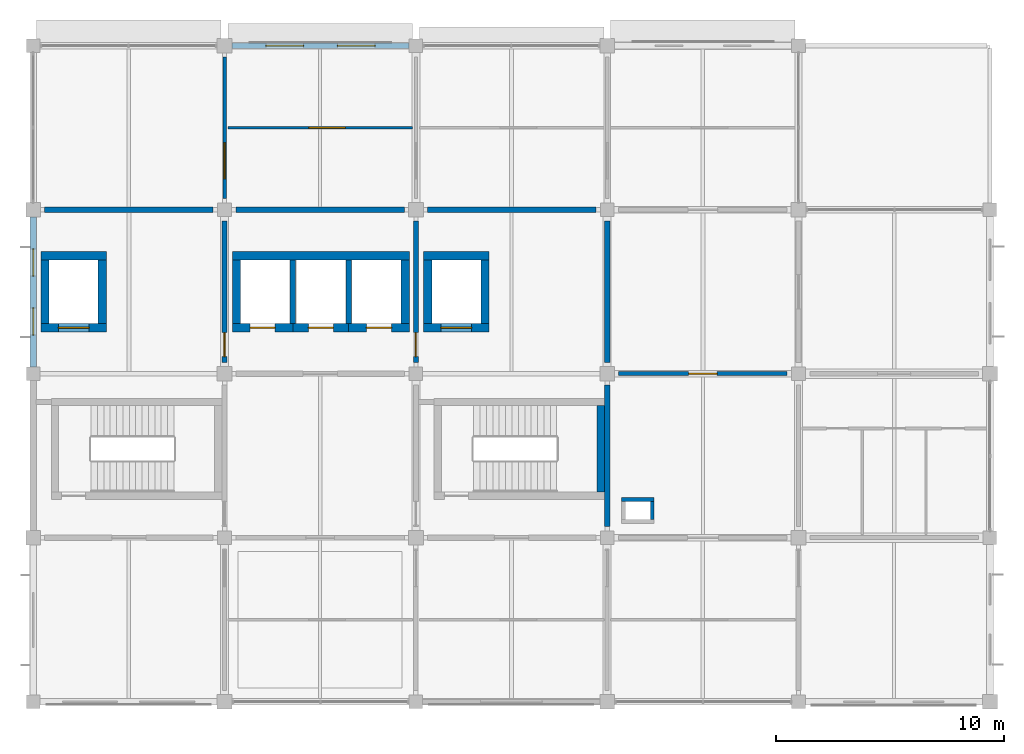
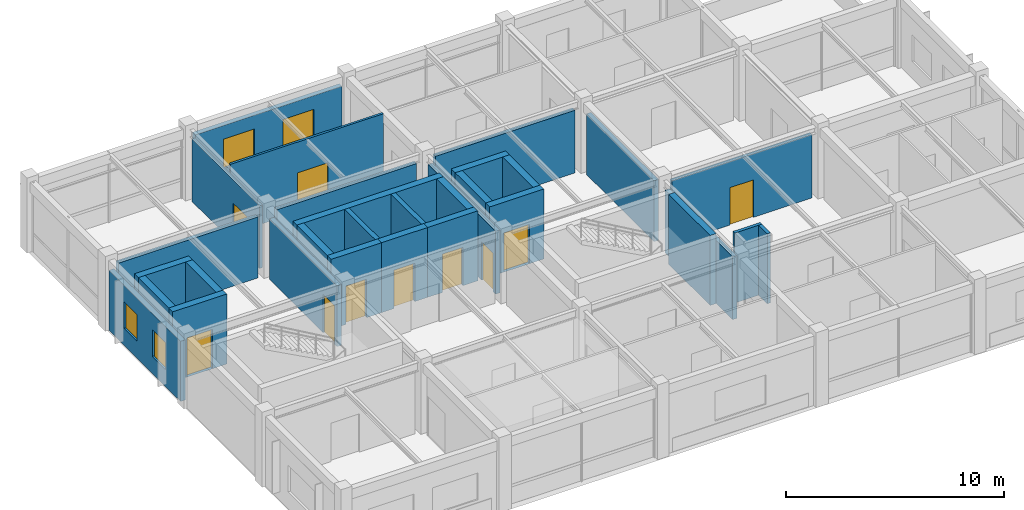
# One storey, part 9 of 13: 31 walls, 10 doors, 4 windows, 14 openings.
"""IFC4 building model written with IfcOpenShell, lengths in metres."""

from ifc_helpers import new_model, si_unit, derived_unit, direction, frame, frame_2d, origin, place, context, subcontext, project, spatial, rectangle, extrude, material, layer, layer_set, type_object, element, fill, save


model = new_model("IFC4")

# Units and contexts
model_context = context("Model", 3, precision=1e-05, world=origin(), true_north=direction((0.0, 1.0)))
body_context = subcontext(model_context, "Body", "Model", "MODEL_VIEW")
ifc_project = project(units=[si_unit("LENGTHUNIT", "METRE"), si_unit("AREAUNIT", "SQUARE_METRE"), si_unit("VOLUMEUNIT", "CUBIC_METRE"), si_unit("PLANEANGLEUNIT", "RADIAN"), si_unit("MASSUNIT", "GRAM", prefix="KILO"), derived_unit("THERMALTRANSMITTANCEUNIT", [(si_unit("MASSUNIT", "GRAM", prefix="KILO"), 1), (si_unit("TIMEUNIT", "SECOND"), -3), (si_unit("THERMODYNAMICTEMPERATUREUNIT", "KELVIN"), -1)])], contexts=[model_context])

# Site, building, storey
site_placement = place(None, origin())
site = spatial("IfcSite", under=ifc_project, at=site_placement, CompositionType="ELEMENT")
building_placement = place(site_placement, origin())
building = spatial("IfcBuilding", under=site, at=building_placement, Name="Veldstrom Oceanarium and Marine Research Institute", CompositionType="ELEMENT")
storey_placement = place(building_placement, frame((0.0, 0.0, 52.199951171875)))
storey = spatial("IfcBuildingStorey", under=building, at=storey_placement, Name="L11", CompositionType="ELEMENT", Elevation=52.199951171875)

# Wall, openings, windows
ifc_material_1 = material(Name="Masonry Cavity Wall", Category="masonry")
ifc_layer_1 = layer(ifc_material_1, 0.27001953125)
ifc_layer_set_1 = layer_set([ifc_layer_1], Name="ARC-WAL-EW3")
wall_type_1 = type_object("IfcWallType", Name="ARC-WAL-EW3", PredefinedType="SOLIDWALL", material=ifc_layer_set_1)
wall_1_placement = place(storey_placement, frame((75.60009765625, 57.89990234375, 0.0), z_axis=(0.0, 0.0, 1.0), x_axis=(0.0, 1.0, 0.0)))
wall_1 = element("IfcWall", 1, at=wall_1_placement, inside=storey, type_object=wall_type_1, Name="Exterior Facade Wall EW3 L11-234", PredefinedType="SOLIDWALL", context=body_context, shape_type="SweptSolid", body=[
    extrude(rectangle(XDim=6.5751953125, YDim=0.27001953125, at=frame_2d((3.28759765625, 0.0))), origin(), (0.0, 0.0, 1.0), 3.364990234375),
])
opening_1_placement = place(wall_1_placement, frame((1.3916015625, 0.0, 0.949951171875)))
opening_1 = element("IfcOpeningElement", 2, at=opening_1_placement, cuts=wall_1, Name="Opening W16", PredefinedType="OPENING", context=body_context, shape_type="SweptSolid", body=[
    extrude(rectangle(XDim=1.199951171875, YDim=1.5, at=frame_2d((0.60009765625, 0.75))), frame((0.0, 0.14501953125, 0.0), z_axis=(0.0, -1.0, 0.0), x_axis=(1.0, 0.0, 0.0)), (0.0, 0.0, 1.0), 0.2900390625),
])
opening_2_placement = place(wall_1_placement, frame((3.9833984375, 0.0, 0.949951171875)))
opening_2 = element("IfcOpeningElement", 3, at=opening_2_placement, cuts=wall_1, Name="Opening W16", PredefinedType="OPENING", context=body_context, shape_type="SweptSolid", body=[
    extrude(rectangle(XDim=1.199951171875, YDim=1.5, at=frame_2d((0.60009765625, 0.75))), frame((0.0, 0.14501953125, 0.0), z_axis=(0.0, -1.0, 0.0), x_axis=(1.0, 0.0, 0.0)), (0.0, 0.0, 1.0), 0.2900390625),
])
ifc_material_2 = material(Name="Double Glazed Low-E IGU", Category="glass")
window_type_1 = type_object("IfcWindowType", Name="ARC-WIN-W16", PartitioningType="SINGLE_PANEL", PredefinedType="WINDOW", material=ifc_material_2)
window_1_placement = place(opening_1_placement, origin())
window_1 = element("IfcWindow", 4, at=window_1_placement, inside=storey, type_object=window_type_1, Name="Facade Window W16 L11-0212", OverallHeight=1.5, OverallWidth=1.199951171875, PartitioningType="SINGLE_PANEL", PredefinedType="WINDOW", context=body_context, shape_type="SweptSolid", body=[
    extrude(rectangle(XDim=1.199951171875, YDim=1.5, at=frame_2d((0.60009765625, 0.75))), frame((0.0, 0.030029296875, 0.0), z_axis=(0.0, -1.0, 0.0), x_axis=(1.0, 0.0, 0.0)), (0.0, 0.0, 1.0), 0.06005859375),
])
fill(opening_1, window_1)
window_2_placement = place(opening_2_placement, origin())
window_2 = element("IfcWindow", 5, at=window_2_placement, inside=storey, type_object=window_type_1, Name="Facade Window W16 L11-0213", OverallHeight=1.5, OverallWidth=1.199951171875, PartitioningType="SINGLE_PANEL", PredefinedType="WINDOW", context=body_context, shape_type="SweptSolid", body=[
    extrude(rectangle(XDim=1.199951171875, YDim=1.5, at=frame_2d((0.60009765625, 0.75))), frame((0.0, 0.030029296875, 0.0), z_axis=(0.0, -1.0, 0.0), x_axis=(1.0, 0.0, 0.0)), (0.0, 0.0, 1.0), 0.06005859375),
])
fill(opening_2, window_2)

ifc_material_3 = material(Name="Masonry Cavity Wall", Category="masonry")
ifc_layer_2 = layer(ifc_material_3, 0.25)
ifc_layer_set_2 = layer_set([ifc_layer_2], Name="ARC-WAL-EW5")
wall_type_2 = type_object("IfcWallType", Name="ARC-WAL-EW5", PredefinedType="SOLIDWALL", material=ifc_layer_set_2)
wall_2_placement = place(storey_placement, frame((84.324951171875, 72.0, 0.0), z_axis=(0.0, 0.0, 1.0), x_axis=(1.0, 0.0, 0.0)))
wall_2 = element("IfcWall", 6, at=wall_2_placement, inside=storey, type_object=wall_type_2, Name="Exterior Facade Wall EW5 L11-235", PredefinedType="SOLIDWALL", context=body_context, shape_type="SweptSolid", body=[
    extrude(rectangle(XDim=7.775146484375, YDim=0.25, at=frame_2d((3.8876953125, 0.0))), origin(), (0.0, 0.0, 1.0), 3.364990234375),
])
opening_3_placement = place(wall_2_placement, frame((1.49169921875, 0.0, 0.949951171875)))
opening_3 = element("IfcOpeningElement", 7, at=opening_3_placement, cuts=wall_2, Name="Opening W23", PredefinedType="OPENING", context=body_context, shape_type="SweptSolid", body=[
    extrude(rectangle(XDim=1.64990234375, YDim=1.64990234375, at=frame_2d((0.824951171875, 0.824951171875))), frame((0.0, 0.135009765625, 0.0), z_axis=(0.0, -1.0, 0.0), x_axis=(1.0, 0.0, 0.0)), (0.0, 0.0, 1.0), 0.27001953125),
])
opening_4_placement = place(wall_2_placement, frame((4.63330078125, 0.0, 0.949951171875)))
opening_4 = element("IfcOpeningElement", 8, at=opening_4_placement, cuts=wall_2, Name="Opening W23", PredefinedType="OPENING", context=body_context, shape_type="SweptSolid", body=[
    extrude(rectangle(XDim=1.64990234375, YDim=1.64990234375, at=frame_2d((0.824951171875, 0.824951171875))), frame((0.0, 0.135009765625, 0.0), z_axis=(0.0, -1.0, 0.0), x_axis=(1.0, 0.0, 0.0)), (0.0, 0.0, 1.0), 0.27001953125),
])
ifc_material_4 = material(Name="Double Glazed Low-E IGU", Category="glass")
window_type_2 = type_object("IfcWindowType", Name="ARC-WIN-W23", PartitioningType="SINGLE_PANEL", PredefinedType="WINDOW", material=ifc_material_4)
window_3_placement = place(opening_3_placement, origin())
window_3 = element("IfcWindow", 9, at=window_3_placement, inside=storey, type_object=window_type_2, Name="Facade Window W23 L11-0214", OverallHeight=1.64990234375, OverallWidth=1.64990234375, PartitioningType="SINGLE_PANEL", PredefinedType="WINDOW", context=body_context, shape_type="SweptSolid", body=[
    extrude(rectangle(XDim=1.64990234375, YDim=1.64990234375, at=frame_2d((0.824951171875, 0.824951171875))), frame((0.0, 0.030029296875, 0.0), z_axis=(0.0, -1.0, 0.0), x_axis=(1.0, 0.0, 0.0)), (0.0, 0.0, 1.0), 0.06005859375),
])
fill(opening_3, window_3)
window_4_placement = place(opening_4_placement, origin())
window_4 = element("IfcWindow", 10, at=window_4_placement, inside=storey, type_object=window_type_2, Name="Facade Window W23 L11-0215", OverallHeight=1.64990234375, OverallWidth=1.64990234375, PartitioningType="SINGLE_PANEL", PredefinedType="WINDOW", context=body_context, shape_type="SweptSolid", body=[
    extrude(rectangle(XDim=1.64990234375, YDim=1.64990234375, at=frame_2d((0.824951171875, 0.824951171875))), frame((0.0, 0.030029296875, 0.0), z_axis=(0.0, -1.0, 0.0), x_axis=(1.0, 0.0, 0.0)), (0.0, 0.0, 1.0), 0.06005859375),
])
fill(opening_4, window_4)

# Wall, opening, door
ifc_material_5 = material(Name="Masonry Fire Compartment Wall", Category="masonry")
ifc_layer_3 = layer(ifc_material_5, 0.22998046875)
ifc_layer_set_3 = layer_set([ifc_layer_3], Name="ARC-WAL-PT1")
wall_type_3 = type_object("IfcWallType", Name="ARC-WAL-PT1", PredefinedType="PARTITIONING", material=ifc_layer_set_3)
wall_3_placement = place(storey_placement, frame((84.0, 58.10009765625, 0.0), z_axis=(0.0, 0.0, 1.0), x_axis=(0.0, 1.0, 0.0)))
wall_3 = element("IfcWall", 11, at=wall_3_placement, inside=storey, type_object=wall_type_3, Name="Interior Partition PT1 L11-1675", PredefinedType="PARTITIONING", context=body_context, shape_type="SweptSolid", body=[
    extrude(rectangle(XDim=6.199951171875, YDim=0.22998046875, at=frame_2d((3.10009765625, 0.0))), origin(), (0.0, 0.0, 1.0), 3.4150390625),
])
opening_5_placement = place(wall_3_placement, frame((0.25, 0.0, 0.0)))
opening_5 = element("IfcOpeningElement", 12, at=opening_5_placement, cuts=wall_3, Name="Opening D-L11-1026", PredefinedType="OPENING", context=body_context, shape_type="SweptSolid", body=[
    extrude(rectangle(XDim=1.050048828125, YDim=2.14990234375, at=frame_2d((0.52490234375, 1.074951171875))), frame((0.0, 0.125, 0.0), z_axis=(0.0, -1.0, 0.0), x_axis=(1.0, 0.0, 0.0)), (0.0, 0.0, 1.0), 0.25),
])
ifc_material_6 = material(Name="Painted Steel Fire Door", Category="steel")
door_type_1 = type_object("IfcDoorType", Name="ARC-DOR-SD1", OperationType="SINGLE_SWING_LEFT", PredefinedType="DOOR", material=ifc_material_6)
door_1_placement = place(opening_5_placement, frame((1.050048828125, 0.0, 0.0), z_axis=(0.0, 0.0, 1.0), x_axis=(-1.0, 0.0, 0.0)))
door_1 = element("IfcDoor", 13, at=door_1_placement, inside=storey, type_object=door_type_1, Name="Interior Door D-L11-1026", OperationType="SINGLE_SWING_RIGHT", OverallHeight=2.14990234375, OverallWidth=1.050048828125, PredefinedType="DOOR", context=body_context, shape_type="SweptSolid", body=[
    extrude(rectangle(XDim=1.050048828125, YDim=2.14990234375, at=frame_2d((0.52490234375, 1.074951171875))), frame((0.0, 0.02490234375, 0.0), z_axis=(0.0, -1.0, 0.0), x_axis=(1.0, 0.0, 0.0)), (0.0, 0.0, 1.0), 0.050048828125),
])
fill(opening_5, door_1)

# Wall
wall_4_placement = place(storey_placement, frame((76.10009765625, 64.800048828125, 0.0), z_axis=(0.0, 0.0, 1.0), x_axis=(1.0, 0.0, 0.0)))
element("IfcWall", 14, at=wall_4_placement, inside=storey, type_object=wall_type_3, Name="Interior Partition PT1 L11-1676", PredefinedType="PARTITIONING", context=body_context, shape_type="SweptSolid", body=[
    extrude(rectangle(XDim=7.39990234375, YDim=0.22998046875, at=frame_2d((3.699951171875, 0.0))), origin(), (0.0, 0.0, 1.0), 3.4150390625),
])

# Wall, opening, door
wall_5_placement = place(storey_placement, frame((92.39990234375, 58.10009765625, 0.0), z_axis=(0.0, 0.0, 1.0), x_axis=(0.0, 1.0, 0.0)))
wall_5 = element("IfcWall", 15, at=wall_5_placement, inside=storey, type_object=wall_type_3, Name="Interior Partition PT1 L11-1682", PredefinedType="PARTITIONING", context=body_context, shape_type="SweptSolid", body=[
    extrude(rectangle(XDim=6.199951171875, YDim=0.22998046875, at=frame_2d((3.10009765625, 0.0))), origin(), (0.0, 0.0, 1.0), 3.51513671875),
])
opening_6_placement = place(wall_5_placement, frame((0.25, 0.0, 0.0)))
opening_6 = element("IfcOpeningElement", 16, at=opening_6_placement, cuts=wall_5, Name="Opening D-L11-1032", PredefinedType="OPENING", context=body_context, shape_type="SweptSolid", body=[
    extrude(rectangle(XDim=1.050048828125, YDim=2.14990234375, at=frame_2d((0.52490234375, 1.074951171875))), frame((0.0, 0.125, 0.0), z_axis=(0.0, -1.0, 0.0), x_axis=(1.0, 0.0, 0.0)), (0.0, 0.0, 1.0), 0.25),
])
door_2_placement = place(opening_6_placement, origin())
door_2 = element("IfcDoor", 17, at=door_2_placement, inside=storey, type_object=door_type_1, Name="Interior Door D-L11-1032", OperationType="SINGLE_SWING_LEFT", OverallHeight=2.14990234375, OverallWidth=1.050048828125, PredefinedType="DOOR", context=body_context, shape_type="SweptSolid", body=[
    extrude(rectangle(XDim=1.050048828125, YDim=2.14990234375, at=frame_2d((0.52490234375, 1.074951171875))), frame((0.0, 0.02490234375, 0.0), z_axis=(0.0, -1.0, 0.0), x_axis=(1.0, 0.0, 0.0)), (0.0, 0.0, 1.0), 0.050048828125),
])
fill(opening_6, door_2)

# Walls
wall_6_placement = place(storey_placement, frame((84.5, 64.800048828125, 0.0), z_axis=(0.0, 0.0, 1.0), x_axis=(1.0, 0.0, 0.0)))
element("IfcWall", 18, at=wall_6_placement, inside=storey, type_object=wall_type_3, Name="Interior Partition PT1 L11-1683", PredefinedType="PARTITIONING", context=body_context, shape_type="SweptSolid", body=[
    extrude(rectangle(XDim=7.39990234375, YDim=0.22998046875, at=frame_2d((3.699951171875, 0.0))), origin(), (0.0, 0.0, 1.0), 3.465087890625),
])
wall_7_placement = place(storey_placement, frame((100.800048828125, 50.89990234375, 0.0), z_axis=(0.0, 0.0, 1.0), x_axis=(0.0, 1.0, 0.0)))
element("IfcWall", 19, at=wall_7_placement, inside=storey, type_object=wall_type_3, Name="Interior Partition PT1 L11-1687", PredefinedType="PARTITIONING", context=body_context, shape_type="SweptSolid", body=[
    extrude(rectangle(XDim=6.2001953125, YDim=0.22998046875, at=frame_2d((3.10009765625, 0.0))), origin(), (0.0, 0.0, 1.0), 3.51513671875),
])
wall_8_placement = place(storey_placement, frame((100.800048828125, 58.10009765625, 0.0), z_axis=(0.0, 0.0, 1.0), x_axis=(0.0, 1.0, 0.0)))
element("IfcWall", 20, at=wall_8_placement, inside=storey, type_object=wall_type_3, Name="Interior Partition PT1 L11-1689", PredefinedType="PARTITIONING", context=body_context, shape_type="SweptSolid", body=[
    extrude(rectangle(XDim=6.199951171875, YDim=0.22998046875, at=frame_2d((3.10009765625, 0.0))), origin(), (0.0, 0.0, 1.0), 3.4150390625),
])
wall_9_placement = place(storey_placement, frame((92.89990234375, 64.800048828125, 0.0), z_axis=(0.0, 0.0, 1.0), x_axis=(1.0, 0.0, 0.0)))
element("IfcWall", 21, at=wall_9_placement, inside=storey, type_object=wall_type_3, Name="Interior Partition PT1 L11-1690", PredefinedType="PARTITIONING", context=body_context, shape_type="SweptSolid", body=[
    extrude(rectangle(XDim=7.400146484375, YDim=0.22998046875, at=frame_2d((3.7001953125, 0.0))), origin(), (0.0, 0.0, 1.0), 3.51513671875),
])

# Wall, opening, door
ifc_material_7 = material(Name="Gypsum Acoustic Lab Partition", Category="gypsum")
ifc_layer_4 = layer(ifc_material_7, 0.1201171875)
ifc_layer_set_4 = layer_set([ifc_layer_4], Name="ARC-WAL-PT10")
wall_type_4 = type_object("IfcWallType", Name="ARC-WAL-PT10", PredefinedType="PARTITIONING", material=ifc_layer_set_4)
wall_10_placement = place(storey_placement, frame((84.14990234375, 68.39990234375, 0.0), z_axis=(0.0, 0.0, 1.0), x_axis=(1.0, 0.0, 0.0)))
wall_10 = element("IfcWall", 22, at=wall_10_placement, inside=storey, type_object=wall_type_4, Name="Laboratory Suite Partition L11-10/9", PredefinedType="PARTITIONING", context=body_context, shape_type="SweptSolid", body=[
    extrude(rectangle(XDim=8.10009765625, YDim=0.1201171875, at=frame_2d((4.050048828125, 0.0))), origin(), (0.0, 0.0, 1.0), 3.920166015625),
])
opening_7_placement = place(wall_10_placement, frame((3.550048828125, 0.0, 0.0)))
opening_7 = element("IfcOpeningElement", 23, at=opening_7_placement, cuts=wall_10, Name="Opening D-L11-S1020", PredefinedType="OPENING", context=body_context, shape_type="SweptSolid", body=[
    extrude(rectangle(XDim=1.60009765625, YDim=2.199951171875, at=frame_2d((0.800048828125, 1.10009765625))), frame((0.0, 0.070068359375, 0.0), z_axis=(0.0, -1.0, 0.0), x_axis=(1.0, 0.0, 0.0)), (0.0, 0.0, 1.0), 0.14013671875),
])
ifc_material_8 = material(Name="Acoustic Timber Corridor Door", Category="wood")
door_type_2 = type_object("IfcDoorType", Name="ARC-DOR-ID02", OperationType="DOUBLE_DOOR_SINGLE_SWING", PredefinedType="DOOR", material=ifc_material_8)
door_3_placement = place(opening_7_placement, origin())
door_3 = element("IfcDoor", 24, at=door_3_placement, inside=storey, type_object=door_type_2, Name="Suite Interior Door D-L11-S1020", OperationType="SINGLE_SWING_RIGHT", OverallHeight=2.199951171875, OverallWidth=1.60009765625, PredefinedType="DOOR", context=body_context, shape_type="SweptSolid", body=[
    extrude(rectangle(XDim=1.60009765625, YDim=2.199951171875, at=frame_2d((0.800048828125, 1.10009765625))), frame((0.0, 0.02490234375, 0.0), z_axis=(0.0, -1.0, 0.0), x_axis=(1.0, 0.0, 0.0)), (0.0, 0.0, 1.0), 0.050048828125),
])
fill(opening_7, door_3)

ifc_material_9 = material(Name="Drywall Acoustic Partition", Category="gypsum")
ifc_layer_5 = layer(ifc_material_9, 0.175048828125)
ifc_layer_set_5 = layer_set([ifc_layer_5], Name="ARC-WAL-PT3")
wall_type_5 = type_object("IfcWallType", Name="ARC-WAL-PT3", PredefinedType="PARTITIONING", material=ifc_layer_set_5)
wall_11_placement = place(storey_placement, frame((101.300048828125, 57.60009765625, 0.0), z_axis=(0.0, 0.0, 1.0), x_axis=(1.0, 0.0, 0.0)))
wall_11 = element("IfcWall", 25, at=wall_11_placement, inside=storey, type_object=wall_type_5, Name="Interior Partition PT3 L11-1695", PredefinedType="PARTITIONING", context=body_context, shape_type="SweptSolid", body=[
    extrude(rectangle(XDim=7.39990234375, YDim=0.175048828125, at=frame_2d((3.699951171875, 0.0))), origin(), (0.0, 0.0, 1.0), 3.56494140625),
])
opening_8_placement = place(wall_11_placement, frame((3.074951171875, 0.0, 0.0)))
opening_8 = element("IfcOpeningElement", 26, at=opening_8_placement, cuts=wall_11, Name="Opening D-L11-1039", PredefinedType="OPENING", context=body_context, shape_type="SweptSolid", body=[
    extrude(rectangle(XDim=1.25, YDim=2.10009765625, at=frame_2d((0.625, 1.050048828125))), frame((0.0, 0.097412109375, 0.0), z_axis=(0.0, -1.0, 0.0), x_axis=(1.0, 0.0, 0.0)), (0.0, 0.0, 1.0), 0.195068359375),
])
ifc_material_10 = material(Name="Specimen Prep Door", Category="timber")
door_type_3 = type_object("IfcDoorType", Name="ARC-DOR-ID16", OperationType="SINGLE_SWING_RIGHT", PredefinedType="DOOR", material=ifc_material_10)
door_4_placement = place(opening_8_placement, origin())
door_4 = element("IfcDoor", 27, at=door_4_placement, inside=storey, type_object=door_type_3, Name="Interior Door D-L11-1039", OperationType="SINGLE_SWING_LEFT", OverallHeight=2.10009765625, OverallWidth=1.25, PredefinedType="DOOR", context=body_context, shape_type="SweptSolid", body=[
    extrude(rectangle(XDim=1.25, YDim=2.10009765625, at=frame_2d((0.625, 1.050048828125))), frame((0.0, 0.02490234375, 0.0), z_axis=(0.0, -1.0, 0.0), x_axis=(1.0, 0.0, 0.0)), (0.0, 0.0, 1.0), 0.050048828125),
])
fill(opening_8, door_4)

ifc_material_11 = material(Name="Drywall Corridor Partition", Category="gypsum")
ifc_layer_6 = layer(ifc_material_11, 0.155029296875)
ifc_layer_set_6 = layer_set([ifc_layer_6], Name="ARC-WAL-PT4")
wall_type_6 = type_object("IfcWallType", Name="ARC-WAL-PT4", PredefinedType="PARTITIONING", material=ifc_layer_set_6)
wall_12_placement = place(storey_placement, frame((84.0, 65.300048828125, 0.0), z_axis=(0.0, 0.0, 1.0), x_axis=(0.0, 1.0, 0.0)))
wall_12 = element("IfcWall", 28, at=wall_12_placement, inside=storey, type_object=wall_type_6, Name="Interior Partition PT4 L11-1677", PredefinedType="PARTITIONING", context=body_context, shape_type="SweptSolid", body=[
    extrude(rectangle(XDim=6.199951171875, YDim=0.155029296875, at=frame_2d((3.10009765625, 0.0))), origin(), (0.0, 0.0, 1.0), 3.51513671875),
])
opening_9_placement = place(wall_12_placement, frame((0.85009765625, 0.0, 0.0)))
opening_9 = element("IfcOpeningElement", 29, at=opening_9_placement, cuts=wall_12, Name="Opening D-L11-1027", PredefinedType="OPENING", context=body_context, shape_type="SweptSolid", body=[
    extrude(rectangle(XDim=1.60009765625, YDim=2.199951171875, at=frame_2d((0.800048828125, 1.10009765625))), frame((0.0, 0.08740234375, 0.0), z_axis=(0.0, -1.0, 0.0), x_axis=(1.0, 0.0, 0.0)), (0.0, 0.0, 1.0), 0.175048828125),
])
door_5_placement = place(opening_9_placement, origin())
door_5 = element("IfcDoor", 30, at=door_5_placement, inside=storey, type_object=door_type_2, Name="Interior Door D-L11-1027", OperationType="DOUBLE_DOOR_SINGLE_SWING", OverallHeight=2.199951171875, OverallWidth=1.60009765625, PredefinedType="DOOR", context=body_context, shape_type="SweptSolid", body=[
    extrude(rectangle(XDim=1.60009765625, YDim=2.199951171875, at=frame_2d((0.800048828125, 1.10009765625))), frame((0.0, 0.02490234375, 0.0), z_axis=(0.0, -1.0, 0.0), x_axis=(1.0, 0.0, 0.0)), (0.0, 0.0, 1.0), 0.050048828125),
])
fill(opening_9, door_5)

# Walls
ifc_material_12 = material(Name="Service Riser Fire Shaft Wall", Category="masonry")
ifc_layer_7 = layer(ifc_material_12, 0.1650390625)
ifc_layer_set_7 = layer_set([ifc_layer_7], Name="ARC-WAL-PT9")
wall_type_7 = type_object("IfcWallType", Name="ARC-WAL-PT9", PredefinedType="PARTITIONING", material=ifc_layer_set_7)
wall_13_placement = place(storey_placement, frame((101.43505859375, 52.08251953125, 0.0), z_axis=(0.0, 0.0, 1.0), x_axis=(1.0, 0.0, 0.0)))
element("IfcWall", 31, at=wall_13_placement, inside=storey, type_object=wall_type_7, Name="Service Riser Fire Shaft Wall L11-CE-N", PredefinedType="PARTITIONING", context=body_context, shape_type="SweptSolid", body=[
    extrude(rectangle(XDim=1.429931640625, YDim=0.1650390625, at=frame_2d((0.71484375, 0.0))), origin(), (0.0, 0.0, 1.0), 3.920166015625),
])
wall_14_placement = place(storey_placement, frame((102.782470703125, 51.199951171875, 0.0), z_axis=(0.0, 0.0, 1.0), x_axis=(0.0, 1.0, 0.0)))
element("IfcWall", 32, at=wall_14_placement, inside=storey, type_object=wall_type_7, Name="Service Riser Fire Shaft Wall L11-CE-E", PredefinedType="PARTITIONING", context=body_context, shape_type="SweptSolid", body=[
    extrude(rectangle(XDim=0.800048828125, YDim=0.1650390625, at=frame_2d((0.39990234375, 0.0))), origin(), (0.0, 0.0, 1.0), 3.920166015625),
])
ifc_material_13 = material(Name="Concrete C40/50", Category="concrete")
ifc_layer_8 = layer(ifc_material_13, 0.360107421875)
ifc_layer_set_8 = layer_set([ifc_layer_8], Name="STR-WAL-WC2")
wall_type_8 = type_object("IfcWallType", Name="STR-WAL-WC2", PredefinedType="SHEAR", material=ifc_layer_set_8)
wall_15_placement = place(storey_placement, frame((75.93994140625, 62.780029296875, 0.0), z_axis=(0.0, 0.0, 1.0), x_axis=(1.0, 0.0, 0.0)))
element("IfcWall", 33, at=wall_15_placement, inside=storey, type_object=wall_type_8, Name="Lift Shaft Shear Wall N L11 9/8", PredefinedType="SHEAR", context=body_context, shape_type="SweptSolid", body=[
    extrude(rectangle(XDim=2.8701171875, YDim=0.360107421875, at=frame_2d((1.43505859375, 0.0))), origin(), (0.0, 0.0, 1.0), 3.920166015625),
])

# Wall, opening, door
wall_16_placement = place(storey_placement, frame((75.93994140625, 59.6201171875, 0.0), z_axis=(0.0, 0.0, 1.0), x_axis=(1.0, 0.0, 0.0)))
wall_16 = element("IfcWall", 34, at=wall_16_placement, inside=storey, type_object=wall_type_8, Name="Lift Shaft Front Shear Wall LF1 L11", PredefinedType="SHEAR", context=body_context, shape_type="SweptSolid", body=[
    extrude(rectangle(XDim=2.8701171875, YDim=0.360107421875, at=frame_2d((1.43505859375, 0.0))), origin(), (0.0, 0.0, 1.0), 3.920166015625),
])
opening_10_placement = place(wall_16_placement, frame((0.760009765625, 0.0, 0.0)))
opening_10 = element("IfcOpeningElement", 35, at=opening_10_placement, cuts=wall_16, Name="Opening LD-LF1-L11", PredefinedType="OPENING", context=body_context, shape_type="SweptSolid", body=[
    extrude(rectangle(XDim=1.35009765625, YDim=2.199951171875, at=frame_2d((0.675048828125, 1.10009765625))), frame((0.0, 0.18994140625, 0.0), z_axis=(0.0, -1.0, 0.0), x_axis=(1.0, 0.0, 0.0)), (0.0, 0.0, 1.0), 0.380126953125),
])
ifc_material_14 = material(Name="Stainless Steel Lift Landing Door", Category="steel")
door_type_4 = type_object("IfcDoorType", Name="ARC-DOR-LD3", OperationType="DOUBLE_DOOR_SLIDING", PredefinedType="DOOR", material=ifc_material_14)
door_6_placement = place(opening_10_placement, origin())
door_6 = element("IfcDoor", 36, at=door_6_placement, inside=storey, type_object=door_type_4, Name="Lift Landing Door LD-LF1-L11", OperationType="DOUBLE_DOOR_SLIDING", OverallHeight=2.199951171875, OverallWidth=1.35009765625, PredefinedType="DOOR", context=body_context, shape_type="SweptSolid", body=[
    extrude(rectangle(XDim=1.35009765625, YDim=2.199951171875, at=frame_2d((0.675048828125, 1.10009765625))), frame((0.0, 0.02490234375, 0.0), z_axis=(0.0, -1.0, 0.0), x_axis=(1.0, 0.0, 0.0)), (0.0, 0.0, 1.0), 0.050048828125),
])
fill(opening_10, door_6)

# Walls
for number, where, z_axis, x_axis, name in (
    (37, (76.1201171875, 59.800048828125, 0.0), (0.0, 0.0, 1.0), (0.0, 1.0, 0.0), "Lift Shaft Shear Wall W L11 9/8"),
    (38, (78.6298828125, 59.800048828125, 0.0), (0.0, 0.0, 1.0), (0.0, 1.0, 0.0), "Lift Shaft Shear Wall E L11 9/8"),
):
    element("IfcWall", number, at=place(storey_placement, frame(where, z_axis=z_axis, x_axis=x_axis)), inside=storey, type_object=wall_type_8, Name=name, PredefinedType="SHEAR", context=body_context, shape_type="SweptSolid", body=[
        extrude(rectangle(XDim=2.800048828125, YDim=0.360107421875, at=frame_2d((1.39990234375, 0.0))), origin(), (0.0, 0.0, 1.0), 3.920166015625),
    ])
wall_17_placement = place(storey_placement, frame((84.340087890625, 62.780029296875, 0.0), z_axis=(0.0, 0.0, 1.0), x_axis=(1.0, 0.0, 0.0)))
element("IfcWall", 39, at=wall_17_placement, inside=storey, type_object=wall_type_8, Name="Lift Shaft Shear Wall N L11 10/8", PredefinedType="SHEAR", context=body_context, shape_type="SweptSolid", body=[
    extrude(rectangle(XDim=7.77001953125, YDim=0.360107421875, at=frame_2d((3.885009765625, 0.0))), origin(), (0.0, 0.0, 1.0), 3.920166015625),
])

# Wall, opening, door
wall_18_placement = place(storey_placement, frame((84.340087890625, 59.6201171875, 0.0), z_axis=(0.0, 0.0, 1.0), x_axis=(1.0, 0.0, 0.0)))
wall_18 = element("IfcWall", 40, at=wall_18_placement, inside=storey, type_object=wall_type_8, Name="Lift Shaft Front Shear Wall LP1 L11", PredefinedType="SHEAR", context=body_context, shape_type="SweptSolid", body=[
    extrude(rectangle(XDim=2.659912109375, YDim=0.360107421875, at=frame_2d((1.330078125, 0.0))), origin(), (0.0, 0.0, 1.0), 3.920166015625),
])
opening_11_placement = place(wall_18_placement, frame((0.780029296875, 0.0, 0.0)))
opening_11 = element("IfcOpeningElement", 41, at=opening_11_placement, cuts=wall_18, Name="Opening LD-LP1-L11", PredefinedType="OPENING", context=body_context, shape_type="SweptSolid", body=[
    extrude(rectangle(XDim=1.10009765625, YDim=2.14990234375, at=frame_2d((0.550048828125, 1.074951171875))), frame((0.0, 0.18994140625, 0.0), z_axis=(0.0, -1.0, 0.0), x_axis=(1.0, 0.0, 0.0)), (0.0, 0.0, 1.0), 0.380126953125),
])
ifc_material_15 = material(Name="Stainless Steel Lift Landing Door", Category="steel")
door_type_5 = type_object("IfcDoorType", Name="ARC-DOR-LD1", OperationType="DOUBLE_DOOR_SLIDING", PredefinedType="DOOR", material=ifc_material_15)
door_7_placement = place(opening_11_placement, origin())
door_7 = element("IfcDoor", 42, at=door_7_placement, inside=storey, type_object=door_type_5, Name="Lift Landing Door LD-LP1-L11", OperationType="DOUBLE_DOOR_SLIDING", OverallHeight=2.14990234375, OverallWidth=1.10009765625, PredefinedType="DOOR", context=body_context, shape_type="SweptSolid", body=[
    extrude(rectangle(XDim=1.10009765625, YDim=2.14990234375, at=frame_2d((0.550048828125, 1.074951171875))), frame((0.0, 0.02490234375, 0.0), z_axis=(0.0, -1.0, 0.0), x_axis=(1.0, 0.0, 0.0)), (0.0, 0.0, 1.0), 0.050048828125),
])
fill(opening_11, door_7)

wall_19_placement = place(storey_placement, frame((87.0, 59.6201171875, 0.0), z_axis=(0.0, 0.0, 1.0), x_axis=(1.0, 0.0, 0.0)))
wall_19 = element("IfcWall", 43, at=wall_19_placement, inside=storey, type_object=wall_type_8, Name="Lift Shaft Front Shear Wall LP2 L11", PredefinedType="SHEAR", context=body_context, shape_type="SweptSolid", body=[
    extrude(rectangle(XDim=2.449951171875, YDim=0.360107421875, at=frame_2d((1.22509765625, 0.0))), origin(), (0.0, 0.0, 1.0), 3.920166015625),
])
opening_12_placement = place(wall_19_placement, frame((0.675048828125, 0.0, 0.0)))
opening_12 = element("IfcOpeningElement", 44, at=opening_12_placement, cuts=wall_19, Name="Opening LD-LP2-L11", PredefinedType="OPENING", context=body_context, shape_type="SweptSolid", body=[
    extrude(rectangle(XDim=1.10009765625, YDim=2.14990234375, at=frame_2d((0.550048828125, 1.074951171875))), frame((0.0, 0.18994140625, 0.0), z_axis=(0.0, -1.0, 0.0), x_axis=(1.0, 0.0, 0.0)), (0.0, 0.0, 1.0), 0.380126953125),
])
door_8_placement = place(opening_12_placement, origin())
door_8 = element("IfcDoor", 45, at=door_8_placement, inside=storey, type_object=door_type_5, Name="Lift Landing Door LD-LP2-L11", OperationType="DOUBLE_DOOR_SLIDING", OverallHeight=2.14990234375, OverallWidth=1.10009765625, PredefinedType="DOOR", context=body_context, shape_type="SweptSolid", body=[
    extrude(rectangle(XDim=1.10009765625, YDim=2.14990234375, at=frame_2d((0.550048828125, 1.074951171875))), frame((0.0, 0.02490234375, 0.0), z_axis=(0.0, -1.0, 0.0), x_axis=(1.0, 0.0, 0.0)), (0.0, 0.0, 1.0), 0.050048828125),
])
fill(opening_12, door_8)

wall_20_placement = place(storey_placement, frame((89.449951171875, 59.6201171875, 0.0), z_axis=(0.0, 0.0, 1.0), x_axis=(1.0, 0.0, 0.0)))
wall_20 = element("IfcWall", 46, at=wall_20_placement, inside=storey, type_object=wall_type_8, Name="Lift Shaft Front Shear Wall LP3 L11", PredefinedType="SHEAR", context=body_context, shape_type="SweptSolid", body=[
    extrude(rectangle(XDim=2.66015625, YDim=0.360107421875, at=frame_2d((1.330078125, 0.0))), origin(), (0.0, 0.0, 1.0), 3.920166015625),
])
opening_13_placement = place(wall_20_placement, frame((0.780029296875, 0.0, 0.0)))
opening_13 = element("IfcOpeningElement", 47, at=opening_13_placement, cuts=wall_20, Name="Opening LD-LP3-L11", PredefinedType="OPENING", context=body_context, shape_type="SweptSolid", body=[
    extrude(rectangle(XDim=1.10009765625, YDim=2.14990234375, at=frame_2d((0.550048828125, 1.074951171875))), frame((0.0, 0.18994140625, 0.0), z_axis=(0.0, -1.0, 0.0), x_axis=(1.0, 0.0, 0.0)), (0.0, 0.0, 1.0), 0.380126953125),
])
door_9_placement = place(opening_13_placement, origin())
door_9 = element("IfcDoor", 48, at=door_9_placement, inside=storey, type_object=door_type_5, Name="Lift Landing Door LD-LP3-L11", OperationType="DOUBLE_DOOR_SLIDING", OverallHeight=2.14990234375, OverallWidth=1.10009765625, PredefinedType="DOOR", context=body_context, shape_type="SweptSolid", body=[
    extrude(rectangle(XDim=1.10009765625, YDim=2.14990234375, at=frame_2d((0.550048828125, 1.074951171875))), frame((0.0, 0.02490234375, 0.0), z_axis=(0.0, -1.0, 0.0), x_axis=(1.0, 0.0, 0.0)), (0.0, 0.0, 1.0), 0.050048828125),
])
fill(opening_13, door_9)

# Walls
for number, where, z_axis, x_axis, name in (
    (49, (84.52001953125, 59.800048828125, 0.0), (0.0, 0.0, 1.0), (0.0, 1.0, 0.0), "Lift Shaft Shear Wall W L11 10/8"),
    (50, (91.929931640625, 59.800048828125, 0.0), (0.0, 0.0, 1.0), (0.0, 1.0, 0.0), "Lift Shaft Shear Wall E L11 10/8"),
):
    element("IfcWall", number, at=place(storey_placement, frame(where, z_axis=z_axis, x_axis=x_axis)), inside=storey, type_object=wall_type_8, Name=name, PredefinedType="SHEAR", context=body_context, shape_type="SweptSolid", body=[
        extrude(rectangle(XDim=2.800048828125, YDim=0.360107421875, at=frame_2d((1.39990234375, 0.0))), origin(), (0.0, 0.0, 1.0), 3.920166015625),
    ])
wall_21_placement = place(storey_placement, frame((92.739990234375, 62.780029296875, 0.0), z_axis=(0.0, 0.0, 1.0), x_axis=(1.0, 0.0, 0.0)))
element("IfcWall", 51, at=wall_21_placement, inside=storey, type_object=wall_type_8, Name="Lift Shaft Shear Wall N L11 11/8", PredefinedType="SHEAR", context=body_context, shape_type="SweptSolid", body=[
    extrude(rectangle(XDim=2.8701171875, YDim=0.360107421875, at=frame_2d((1.43505859375, 0.0))), origin(), (0.0, 0.0, 1.0), 3.920166015625),
])

# Wall, opening, door
wall_22_placement = place(storey_placement, frame((92.739990234375, 59.6201171875, 0.0), z_axis=(0.0, 0.0, 1.0), x_axis=(1.0, 0.0, 0.0)))
wall_22 = element("IfcWall", 52, at=wall_22_placement, inside=storey, type_object=wall_type_8, Name="Lift Shaft Front Shear Wall LF2 L11", PredefinedType="SHEAR", context=body_context, shape_type="SweptSolid", body=[
    extrude(rectangle(XDim=2.8701171875, YDim=0.360107421875, at=frame_2d((1.43505859375, 0.0))), origin(), (0.0, 0.0, 1.0), 3.920166015625),
])
opening_14_placement = place(wall_22_placement, frame((0.760009765625, 0.0, 0.0)))
opening_14 = element("IfcOpeningElement", 53, at=opening_14_placement, cuts=wall_22, Name="Opening LD-LF2-L11", PredefinedType="OPENING", context=body_context, shape_type="SweptSolid", body=[
    extrude(rectangle(XDim=1.35009765625, YDim=2.199951171875, at=frame_2d((0.675048828125, 1.10009765625))), frame((0.0, 0.18994140625, 0.0), z_axis=(0.0, -1.0, 0.0), x_axis=(1.0, 0.0, 0.0)), (0.0, 0.0, 1.0), 0.380126953125),
])
door_10_placement = place(opening_14_placement, origin())
door_10 = element("IfcDoor", 54, at=door_10_placement, inside=storey, type_object=door_type_4, Name="Lift Landing Door LD-LF2-L11", OperationType="DOUBLE_DOOR_SLIDING", OverallHeight=2.199951171875, OverallWidth=1.35009765625, PredefinedType="DOOR", context=body_context, shape_type="SweptSolid", body=[
    extrude(rectangle(XDim=1.35009765625, YDim=2.199951171875, at=frame_2d((0.675048828125, 1.10009765625))), frame((0.0, 0.02490234375, 0.0), z_axis=(0.0, -1.0, 0.0), x_axis=(1.0, 0.0, 0.0)), (0.0, 0.0, 1.0), 0.050048828125),
])
fill(opening_14, door_10)

# Walls
for number, where, z_axis, x_axis, name in (
    (55, (92.919921875, 59.800048828125, 0.0), (0.0, 0.0, 1.0), (0.0, 1.0, 0.0), "Lift Shaft Shear Wall W L11 11/8"),
    (56, (95.429931640625, 59.800048828125, 0.0), (0.0, 0.0, 1.0), (0.0, 1.0, 0.0), "Lift Shaft Shear Wall E L11 11/8"),
):
    element("IfcWall", number, at=place(storey_placement, frame(where, z_axis=z_axis, x_axis=x_axis)), inside=storey, type_object=wall_type_8, Name=name, PredefinedType="SHEAR", context=body_context, shape_type="SweptSolid", body=[
        extrude(rectangle(XDim=2.800048828125, YDim=0.360107421875, at=frame_2d((1.39990234375, 0.0))), origin(), (0.0, 0.0, 1.0), 3.920166015625),
    ])
ifc_material_16 = material(Name="Concrete C40/50", Category="concrete")
ifc_layer_9 = layer(ifc_material_16, 0.320068359375)
ifc_layer_set_9 = layer_set([ifc_layer_9], Name="STR-WAL-WC3")
wall_type_9 = type_object("IfcWallType", Name="STR-WAL-WC3", PredefinedType="SHEAR", material=ifc_layer_set_9)
wall_23_placement = place(storey_placement, frame((100.52001953125, 52.39990234375, 0.0), z_axis=(0.0, 0.0, 1.0), x_axis=(0.0, 1.0, 0.0)))
element("IfcWall", 57, at=wall_23_placement, inside=storey, type_object=wall_type_9, Name="Stair Core Shear Wall SC2-L11-E", PredefinedType="SHEAR", context=body_context, shape_type="SweptSolid", body=[
    extrude(rectangle(XDim=3.800048828125, YDim=0.320068359375, at=frame_2d((1.89990234375, 0.0))), origin(), (0.0, 0.0, 1.0), 3.920166015625),
])
ifc_material_17 = material(Name="Concrete C40/50", Category="concrete")
ifc_layer_10 = layer(ifc_material_17, 0.239990234375)
ifc_layer_set_10 = layer_set([ifc_layer_10], Name="STR-WAL-WC4")
wall_type_10 = type_object("IfcWallType", Name="STR-WAL-WC4", PredefinedType="SHEAR", material=ifc_layer_set_10)
for number, where, z_axis, x_axis, name in (
    (58, (87.0, 59.800048828125, 0.0), (0.0, 0.0, 1.0), (0.0, 1.0, 0.0), "Lift Shaft Divider Wall L11 10/8-1"),
    (59, (89.449951171875, 59.800048828125, 0.0), (0.0, 0.0, 1.0), (0.0, 1.0, 0.0), "Lift Shaft Divider Wall L11 10/8-2"),
):
    element("IfcWall", number, at=place(storey_placement, frame(where, z_axis=z_axis, x_axis=x_axis)), inside=storey, type_object=wall_type_10, Name=name, PredefinedType="SHEAR", context=body_context, shape_type="SweptSolid", body=[
        extrude(rectangle(XDim=2.800048828125, YDim=0.239990234375, at=frame_2d((1.39990234375, 0.0))), origin(), (0.0, 0.0, 1.0), 3.920166015625),
    ])

save(model, "model.ifc")
